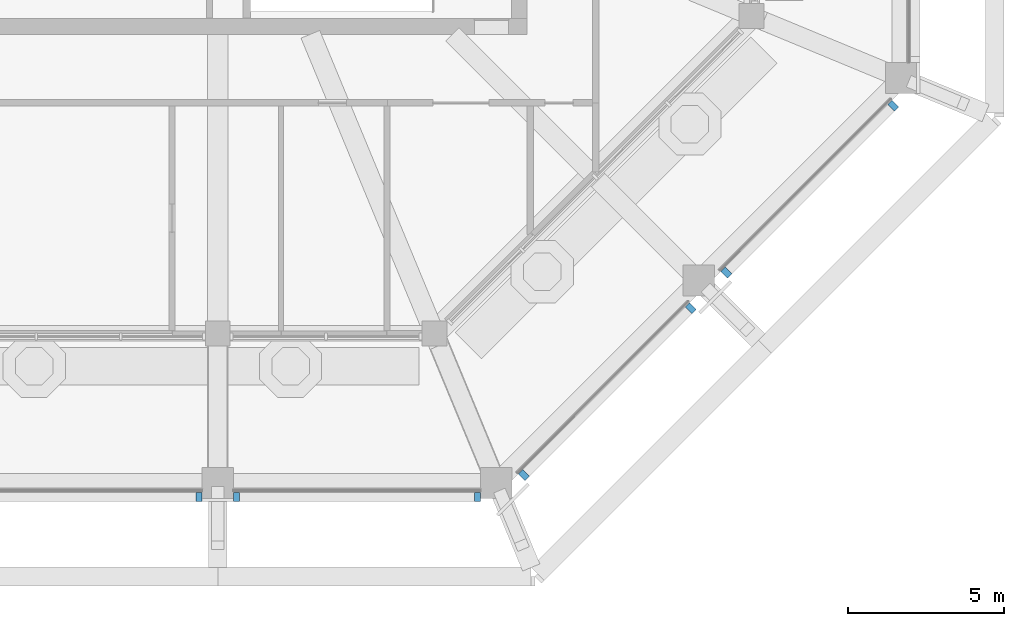
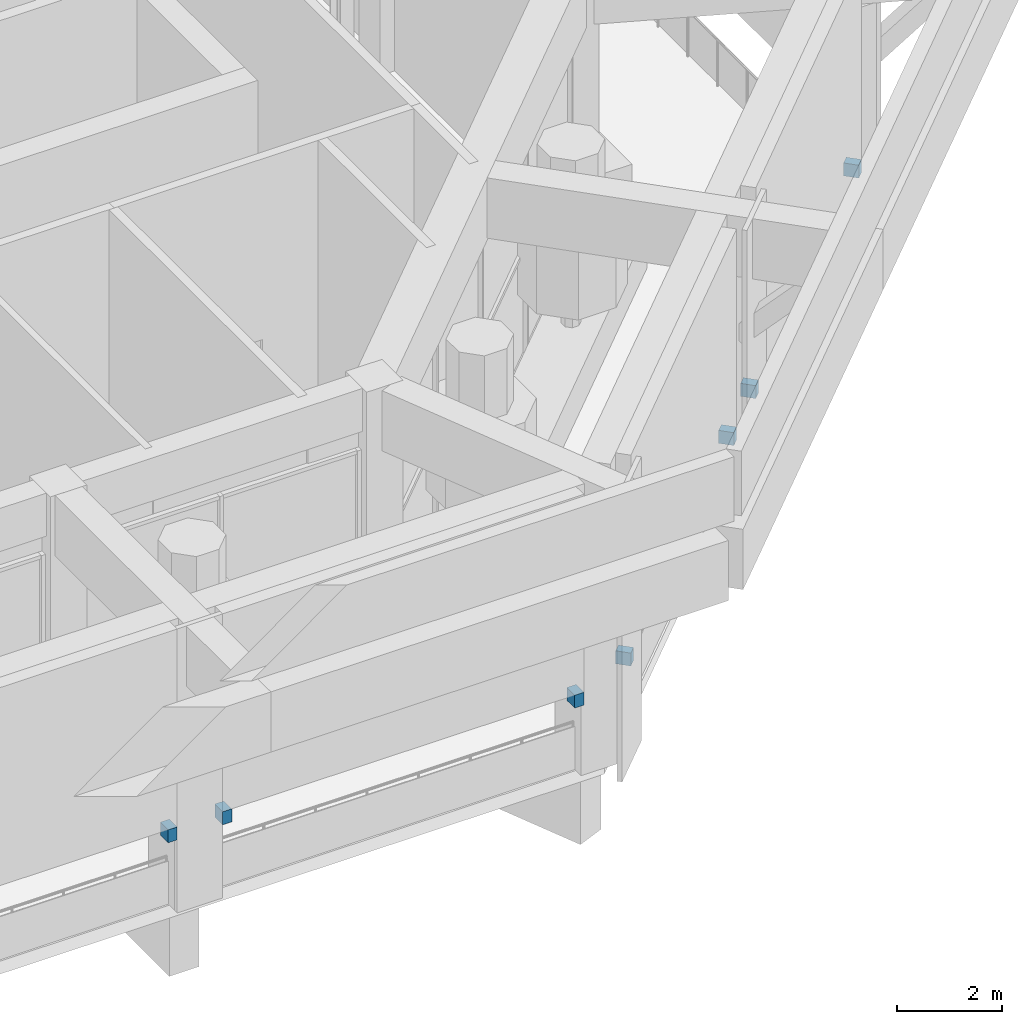
# One storey, part 20 of 29: 7 discrete accessories.
"""IFC4 building model written with IfcOpenShell, lengths in metres."""

from ifc_helpers import new_model, si_unit, direction, frame, origin, origin_2d, place, context, subcontext, project, spatial, rectangle, extrude, material, type_object, element, save


model = new_model("IFC4")

# Units and contexts
model_context = context("Model", 3, precision=1e-05, world=origin(), true_north=direction((0.0, 1.0)))
body_context = subcontext(model_context, "Body", "Model", "MODEL_VIEW")
ifc_project = project(units=[si_unit("LENGTHUNIT", "METRE"), si_unit("AREAUNIT", "SQUARE_METRE"), si_unit("VOLUMEUNIT", "CUBIC_METRE"), si_unit("PLANEANGLEUNIT", "RADIAN"), si_unit("MASSUNIT", "GRAM", prefix="KILO")], contexts=[model_context])

# Site, building, storey
site_placement = place(None, origin())
site = spatial("IfcSite", under=ifc_project, at=site_placement, CompositionType="ELEMENT")
building_placement = place(site_placement, origin())
building = spatial("IfcBuilding", under=site, at=building_placement, Name="Msitu Wima Residences", CompositionType="ELEMENT")
storey_placement = place(building_placement, frame((0.0, 0.0, 320.10009765625)))
storey = spatial("IfcBuildingStorey", under=building, at=storey_placement, Name="L74", CompositionType="ELEMENT", Elevation=320.10009765625)

# Discrete accessories
ifc_material = material(Name="Steel S355, galvanised", Category="steel")
discrete_accessory_type = type_object("IfcDiscreteAccessoryType", Name="Screen support bracket SB200", PredefinedType="BRACKET", material=ifc_material)
for number, where, z_axis, x_axis, name in (
    (1, (3.86865234375, -26.85009765625, 1.69970703125), (0.0, 0.0, 1.0), (1.0, 0.0, 0.0), "Screen support bracket S1B"),
    (2, (5.068603515625, -26.85009765625, 1.69970703125), (0.0, 0.0, 1.0), (1.0, 0.0, 0.0), "Screen support bracket S2A"),
    (3, (12.805908203125, -26.85009765625, 1.69970703125), (0.0, 0.0, 1.0), (1.0, 0.0, 0.0), "Screen support bracket S2B"),
    (4, (14.294677734375, -26.1474609375, 1.69970703125), (0.0, 0.0, 1.0), (0.707106781187, 0.707106781187, 0.0), "Screen support bracket SE0A"),
    (5, (19.650390625, -20.791748046875, 1.69970703125), (0.0, 0.0, 1.0), (0.707106781187, 0.707106781187, 0.0), "Screen support bracket SE0B"),
    (6, (20.791748046875, -19.650390625, 1.69970703125), (0.0, 0.0, 1.0), (0.707106781187, 0.707106781187, 0.0), "Screen support bracket SE1A"),
    (7, (26.1474609375, -14.294677734375, 1.69970703125), (0.0, 0.0, 1.0), (0.707106781187, 0.707106781187, 0.0), "Screen support bracket SE1B"),
):
    element("IfcDiscreteAccessory", number, at=place(storey_placement, frame(where, z_axis=z_axis, x_axis=x_axis)), inside=storey, type_object=discrete_accessory_type, Name=name, PredefinedType="BRACKET", context=body_context, shape_type="SweptSolid", body=[
        extrude(rectangle(XDim=0.199951171875, YDim=0.300048828125, at=origin_2d()), origin(), (0.0, 0.0, 1.0), 0.300048828125),
    ])

save(model, "model.ifc")
